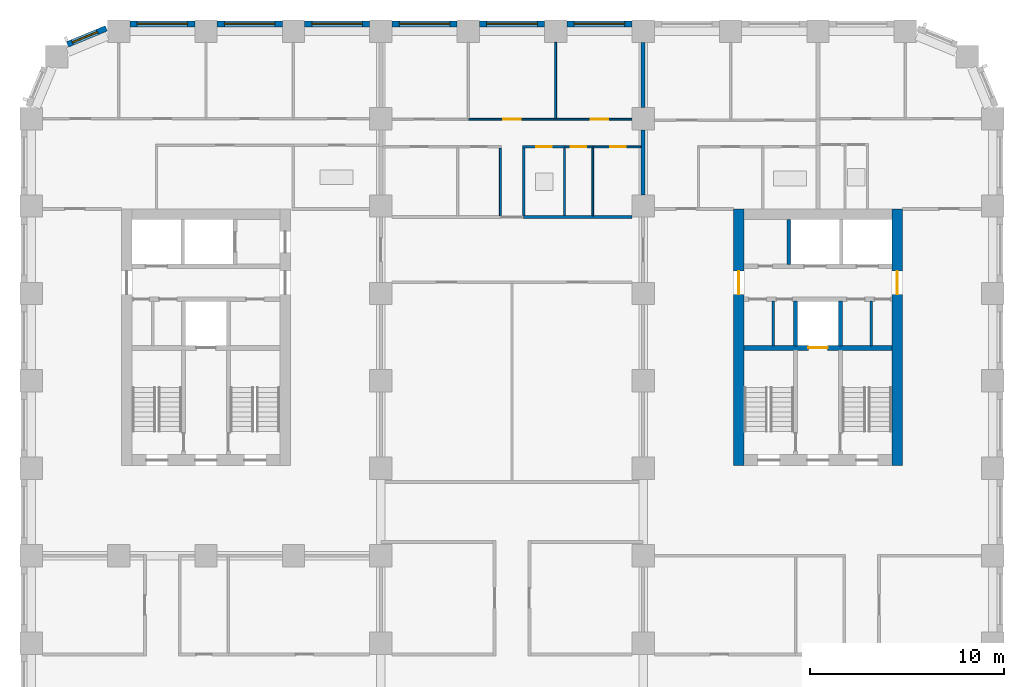
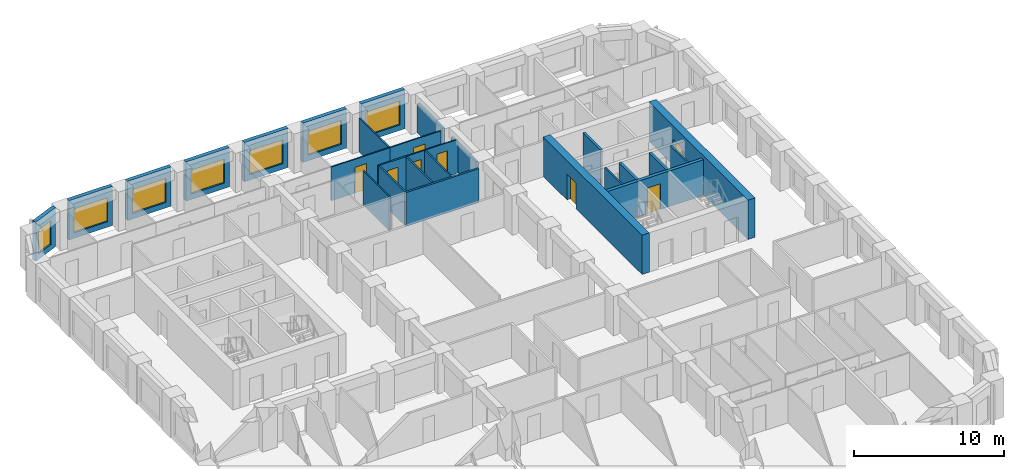
# One storey, part 8 of 13: 28 walls, 8 doors, 7 windows, 15 openings.
"""IFC4 building model written with IfcOpenShell, lengths in metres."""

import ifcopenshell
import ifcopenshell.guid

model = None  # the IFC model being written
_history = None  # IfcOwnerHistory: only IFC2X3 demands one
_inside = {}  # id of a spatial element -> (the spatial element, [elements in it])
_under = {}  # id of a project, library or spatial element -> (it, [spatial elements below it])
_declared = {}  # id of a project -> (the project, [libraries it declares])
_typed = {}  # id of a type object -> (the type object, [elements of that type])
_made_of = {}  # id of a material, layer set ... -> (it, [elements and type objects made of it])


def new_model(schema):
    """Start an empty IFC model of exactly this schema.

    Asked for "IFC4X3", IfcOpenShell would pick the latest addendum, in which some entities
    have other attributes; the version numbers below select the first issue.
    IFC2X3 requires an IfcOwnerHistory on every rooted entity: one is made here for all.
    """
    global model, _history
    if schema == "IFC4X3":
        model = ifcopenshell.file(schema_version=(4, 3, 0, 0))
    else:
        model = ifcopenshell.file(schema=schema)
    _inside.clear()
    _under.clear()
    _declared.clear()
    _typed.clear()
    _made_of.clear()
    _history = None
    if model.schema == "IFC2X3":
        org = make("IfcOrganization", Name="unknown")
        user = make(
            "IfcPersonAndOrganization",
            ThePerson=make("IfcPerson", FamilyName="unknown"),
            TheOrganization=org,
        )
        app = make(
            "IfcApplication",
            ApplicationDeveloper=org,
            Version="unknown",
            ApplicationFullName="unknown",
            ApplicationIdentifier="unknown",
        )
        _history = make(
            "IfcOwnerHistory",
            OwningUser=user,
            OwningApplication=app,
            ChangeAction="ADDED",
            CreationDate=0,
        )
    return model


def make(cls, **values):
    """One entity of the class cls with the attributes given. An attribute that is None is left unset."""
    return model.create_entity(
        cls, **{name: value for name, value in values.items() if value is not None}
    )


def rooted(cls, **values):
    """An entity with a GlobalId (a new one), such as an element, a storey or a relation."""
    return make(cls, GlobalId=ifcopenshell.guid.new(), OwnerHistory=_history, **values)


def si_unit(unit_type, name, prefix=None):
    """IfcSIUnit, for example si_unit("LENGTHUNIT", "METRE", prefix="MILLI")."""
    return make("IfcSIUnit", UnitType=unit_type, Prefix=prefix, Name=name)


def assignment(units):
    """IfcUnitAssignment: the units of a project."""
    return None if units is None else make("IfcUnitAssignment", Units=units)


def point(xyz):
    """IfcCartesianPoint."""
    return None if xyz is None else make("IfcCartesianPoint", Coordinates=xyz)


def direction(xyz):
    """IfcDirection."""
    return None if xyz is None else make("IfcDirection", DirectionRatios=xyz)


def frame(location, z_axis=None, x_axis=None):
    """IfcAxis2Placement3D, a coordinate frame: its origin and axes. An axis left out is left unset."""
    return make(
        "IfcAxis2Placement3D",
        Location=point(location),
        Axis=direction(z_axis),
        RefDirection=direction(x_axis),
    )


def frame_2d(location, x_axis=None):
    """IfcAxis2Placement2D, a coordinate frame in the plane: its origin and x axis."""
    return make(
        "IfcAxis2Placement2D", Location=point(location), RefDirection=direction(x_axis)
    )


def origin():
    """The frame at (0, 0, 0) with its axes left unset."""
    return frame((0.0, 0.0, 0.0))


def place(relative_to, where):
    """IfcLocalPlacement: puts the frame where relative to a parent placement (None: the world)."""
    return make(
        "IfcLocalPlacement", PlacementRelTo=relative_to, RelativePlacement=where
    )


def context(
    kind, dimensions, precision=None, world=None, true_north=None, identifier=None
):
    """IfcGeometricRepresentationContext, for example the 3D "Model" context."""
    return make(
        "IfcGeometricRepresentationContext",
        ContextIdentifier=identifier,
        ContextType=kind,
        CoordinateSpaceDimension=dimensions,
        Precision=precision,
        WorldCoordinateSystem=world,
        TrueNorth=true_north,
    )


def subcontext(parent, identifier, kind, view, scale=None):
    """IfcGeometricRepresentationSubContext, for example "Body" below "Model"."""
    return make(
        "IfcGeometricRepresentationSubContext",
        ContextIdentifier=identifier,
        ContextType=kind,
        ParentContext=parent,
        TargetScale=scale,
        TargetView=view,
    )


def project(units=None, contexts=None):
    """IfcProject with its units and contexts."""
    return rooted(
        "IfcProject",
        Name="project",
        RepresentationContexts=contexts,
        UnitsInContext=assignment(units),
    )


def spatial(cls, under=None, at=None, **own):
    """A site, building, storey or space (cls), placed at a placement, below another one or the project."""
    s = rooted(cls, ObjectPlacement=at, **own)
    if under is not None:
        _under.setdefault(under.id(), (under, []))[1].append(s)
    return s


def profile(cls, at=None, kind="AREA", **sizes):
    """A parametric profile (cls). Its sizes go by their IFC names, for example OverallWidth=200.0."""
    return make(cls, ProfileType=kind, Position=at, **sizes)


def rectangle(**sizes):
    """IfcRectangleProfileDef."""
    return profile("IfcRectangleProfileDef", **sizes)


def extrude(swept, where, along, depth):
    """IfcExtrudedAreaSolid: the profile swept, set in the frame where, extruded along a direction by depth."""
    return make(
        "IfcExtrudedAreaSolid",
        SweptArea=swept,
        Position=where,
        ExtrudedDirection=direction(along),
        Depth=depth,
    )


def shape(context_of_items, identifier, shape_type, items):
    """IfcShapeRepresentation: the items that make up one representation, for example the "Body"."""
    return make(
        "IfcShapeRepresentation",
        ContextOfItems=context_of_items,
        RepresentationIdentifier=identifier,
        RepresentationType=shape_type,
        Items=items,
    )


def material(Name=None, Category=None):
    """IfcMaterial."""
    return make("IfcMaterial", Name=Name, Category=Category)


def layer(
    of_material, thickness, ventilated=None, Name=None, Category=None, Priority=None
):
    """IfcMaterialLayer: one layer of a wall or slab, of a material (None: an air gap)."""
    return make(
        "IfcMaterialLayer",
        Material=of_material,
        LayerThickness=thickness,
        IsVentilated=ventilated,
        Name=Name,
        Category=Category,
        Priority=Priority,
    )


def layer_set(layers, Name=None):
    """IfcMaterialLayerSet."""
    return make("IfcMaterialLayerSet", MaterialLayers=layers, LayerSetName=Name)


def made_of(thing, what):
    """Note that an element or type object is made of a material, layer set ...; save() writes the relation."""
    if what is not None:
        _made_of.setdefault(what.id(), (what, []))[1].append(thing)
    return thing


def type_object(cls, material=None, **own):
    """A type object (cls), such as IfcWallType, which elements share."""
    return made_of(rooted(cls, **own), material)


def element(
    cls,
    number,
    at=None,
    inside=None,
    cuts=None,
    type_object=None,
    material=None,
    context=None,
    identifier="Body",
    shape_type=None,
    held_by="IfcProductDefinitionShape",
    body=None,
    shapes=None,
    **own,
):
    """One element of the class cls, such as IfcWall. Its Tag is "e" and its number.

    at: its placement. inside: the storey or other place that contains it. cuts: it is an
    opening in that element (IfcRelVoidsElement). A single representation is given by context,
    identifier, shape_type and body (its items); several are given by shapes. held_by: the class
    of the entity that holds the representations. save() writes the other relations.
    """
    e = rooted(cls, Tag="e%d" % number, ObjectPlacement=at, **own)
    if body is not None:
        shapes = [shape(context, identifier, shape_type, body)]
    if shapes is not None:
        e.Representation = make(held_by, Representations=shapes)
    if inside is not None:
        _inside.setdefault(inside.id(), (inside, []))[1].append(e)
    if cuts is not None:
        rooted(
            "IfcRelVoidsElement", RelatingBuildingElement=cuts, RelatedOpeningElement=e
        )
    if type_object is not None:
        _typed.setdefault(type_object.id(), (type_object, []))[1].append(e)
    return made_of(e, material)


def fill(opening, filler):
    """IfcRelFillsElement: the door or window that sits in an opening."""
    return rooted(
        "IfcRelFillsElement",
        RelatingOpeningElement=opening,
        RelatedBuildingElement=filler,
    )


def aggregate(whole, parts):
    """IfcRelAggregates: a whole, such as a stair, and the parts it consists of."""
    return rooted("IfcRelAggregates", RelatingObject=whole, RelatedObjects=parts)


def save(model, path):
    """Write the relations noted so far, then the file.

    IfcRelAggregates (storeys below a building ...), IfcRelContainedInSpatialStructure (elements
    in a storey), IfcRelDefinesByType, IfcRelAssociatesMaterial and IfcRelDeclares: one each for
    every whole, place, type object, material and project.
    """
    for whole, parts in _under.values():
        aggregate(whole, parts)
    for where, things in _inside.values():
        rooted(
            "IfcRelContainedInSpatialStructure",
            RelatedElements=things,
            RelatingStructure=where,
        )
    for kind, things in _typed.values():
        rooted("IfcRelDefinesByType", RelatedObjects=things, RelatingType=kind)
    for what, things in _made_of.values():
        rooted("IfcRelAssociatesMaterial", RelatedObjects=things, RelatingMaterial=what)
    for by, libraries in _declared.values():
        rooted("IfcRelDeclares", RelatingContext=by, RelatedDefinitions=libraries)
    model.write(path)


model = new_model("IFC4")

# Units and contexts
model_context = context("Model", 3, precision=1e-05, world=origin(), true_north=direction((0.0, 1.0)))
body_context = subcontext(model_context, "Body", "Model", "MODEL_VIEW")
ifc_project = project(units=[si_unit("LENGTHUNIT", "METRE"), si_unit("AREAUNIT", "SQUARE_METRE"), si_unit("VOLUMEUNIT", "CUBIC_METRE"), si_unit("PLANEANGLEUNIT", "RADIAN"), si_unit("MASSUNIT", "GRAM", prefix="KILO")], contexts=[model_context])

# Site, building, storey
site_placement = place(None, origin())
site = spatial("IfcSite", under=ifc_project, at=site_placement, CompositionType="ELEMENT")
building_placement = place(site_placement, origin())
building = spatial("IfcBuilding", under=site, at=building_placement, Name="Girih Gate Residences", CompositionType="ELEMENT")
storey_placement = place(building_placement, frame((0.0, 0.0, 83.199951171875)))
storey = spatial("IfcBuildingStorey", under=building, at=storey_placement, Name="L22", CompositionType="ELEMENT", Elevation=83.199951171875)

# Wall
ifc_material_1 = material(Name="Gypsum board on steel studs", Category="steel")
ifc_layer_1 = layer(ifc_material_1, 0.14990234375)
ifc_layer_set_1 = layer_set([ifc_layer_1], Name="Compartment wall 150 mm")
wall_type_1 = type_object("IfcWallType", Name="Compartment wall 150 mm", PredefinedType="PARTITIONING", material=ifc_layer_set_1)
wall_1_placement = place(storey_placement, frame((25.35009765625, 39.925048828125, 0.0), z_axis=(0.0, 0.0, 1.0), x_axis=(1.0, 0.0, 0.0)))
element("IfcWall", 1, at=wall_1_placement, inside=storey, type_object=wall_type_1, Name="L22 partition", PredefinedType="PARTITIONING", context=body_context, shape_type="SweptSolid", body=[
    extrude(rectangle(XDim=5.574951171875, YDim=0.14990234375, at=frame_2d((2.78759765625, 0.0))), origin(), (0.0, 0.0, 1.0), 2.75),
])

# Wall, opening, door
ifc_material_2 = material(Name="Concrete C60/75", Category="concrete")
ifc_layer_2 = layer(ifc_material_2, 0.550048828125)
ifc_layer_set_2 = layer_set([ifc_layer_2], Name="Core wall RC 550 Concrete C60/75")
wall_type_2 = type_object("IfcWallType", Name="Core wall RC 550 Concrete C60/75", PredefinedType="SOLIDWALL", material=ifc_layer_set_2)
wall_2_placement = place(storey_placement, frame((36.425048828125, 27.14990234375, 0.0), z_axis=(0.0, 0.0, 1.0), x_axis=(0.0, 1.0, 0.0)))
wall_2 = element("IfcWall", 2, at=wall_2_placement, inside=storey, type_object=wall_type_2, Name="Core wall E-W L22", PredefinedType="SOLIDWALL", context=body_context, shape_type="SweptSolid", body=[
    extrude(rectangle(XDim=13.2001953125, YDim=0.550048828125, at=frame_2d((6.60009765625, 0.0))), origin(), (0.0, 0.0, 1.0), 3.199951171875),
])
opening_1_placement = place(wall_2_placement, frame((8.800048828125, 0.0, 0.0)))
opening_1 = element("IfcOpeningElement", 3, at=opening_1_placement, cuts=wall_2, Name="Opening D-L22-E-014", PredefinedType="OPENING", context=body_context, shape_type="SweptSolid", body=[
    extrude(rectangle(XDim=1.199951171875, YDim=2.10009765625, at=frame_2d((0.60009765625, 1.050048828125))), frame((0.0, 0.284912109375, 0.0), z_axis=(0.0, -1.0, 0.0), x_axis=(1.0, 0.0, 0.0)), (0.0, 0.0, 1.0), 0.570068359375),
])
ifc_material_3 = material(Name="Painted steel, fire-resisting", Category="steel")
door_type_1 = type_object("IfcDoorType", Name="Fire door 1200x2100", OperationType="SINGLE_SWING_LEFT", PredefinedType="DOOR", material=ifc_material_3)
door_1_placement = place(opening_1_placement, origin())
door_1 = element("IfcDoor", 4, at=door_1_placement, inside=storey, type_object=door_type_1, Name="L22 E core door ll-w", OperationType="SINGLE_SWING_LEFT", OverallHeight=2.10009765625, OverallWidth=1.199951171875, PredefinedType="DOOR", context=body_context, shape_type="SweptSolid", body=[
    extrude(rectangle(XDim=1.199951171875, YDim=2.10009765625, at=frame_2d((0.60009765625, 1.050048828125))), frame((0.0, 0.02490234375, 0.0), z_axis=(0.0, -1.0, 0.0), x_axis=(1.0, 0.0, 0.0)), (0.0, 0.0, 1.0), 0.050048828125),
])
fill(opening_1, door_1)

wall_3_placement = place(storey_placement, frame((44.574951171875, 27.14990234375, 0.0), z_axis=(0.0, 0.0, 1.0), x_axis=(0.0, 1.0, 0.0)))
wall_3 = element("IfcWall", 5, at=wall_3_placement, inside=storey, type_object=wall_type_2, Name="Core wall E-E L22", PredefinedType="SOLIDWALL", context=body_context, shape_type="SweptSolid", body=[
    extrude(rectangle(XDim=13.2001953125, YDim=0.550048828125, at=frame_2d((6.60009765625, 0.0))), origin(), (0.0, 0.0, 1.0), 3.199951171875),
])
opening_2_placement = place(wall_3_placement, frame((8.800048828125, 0.0, 0.0)))
opening_2 = element("IfcOpeningElement", 6, at=opening_2_placement, cuts=wall_3, Name="Opening D-L22-E-015", PredefinedType="OPENING", context=body_context, shape_type="SweptSolid", body=[
    extrude(rectangle(XDim=1.199951171875, YDim=2.10009765625, at=frame_2d((0.60009765625, 1.050048828125))), frame((0.0, 0.284912109375, 0.0), z_axis=(0.0, -1.0, 0.0), x_axis=(1.0, 0.0, 0.0)), (0.0, 0.0, 1.0), 0.570068359375),
])
door_2_placement = place(opening_2_placement, origin())
door_2 = element("IfcDoor", 7, at=door_2_placement, inside=storey, type_object=door_type_1, Name="L22 E core door ll-e", OperationType="SINGLE_SWING_LEFT", OverallHeight=2.10009765625, OverallWidth=1.199951171875, PredefinedType="DOOR", context=body_context, shape_type="SweptSolid", body=[
    extrude(rectangle(XDim=1.199951171875, YDim=2.10009765625, at=frame_2d((0.60009765625, 1.050048828125))), frame((0.0, 0.02490234375, 0.0), z_axis=(0.0, -1.0, 0.0), x_axis=(1.0, 0.0, 0.0)), (0.0, 0.0, 1.0), 0.050048828125),
])
fill(opening_2, door_2)

ifc_material_4 = material(Name="Concrete C40/50", Category="concrete")
ifc_layer_3 = layer(ifc_material_4, 0.25)
ifc_layer_set_3 = layer_set([ifc_layer_3], Name="Lift shaft wall 250")
wall_type_3 = type_object("IfcWallType", Name="Lift shaft wall 250", PredefinedType="SOLIDWALL", material=ifc_layer_set_3)
wall_4_placement = place(storey_placement, frame((36.699951171875, 33.199951171875, 0.0), z_axis=(0.0, 0.0, 1.0), x_axis=(1.0, 0.0, 0.0)))
wall_4 = element("IfcWall", 8, at=wall_4_placement, inside=storey, type_object=wall_type_3, Name="L22 E core wall H1", PredefinedType="SOLIDWALL", context=body_context, shape_type="SweptSolid", body=[
    extrude(rectangle(XDim=7.60009765625, YDim=0.25, at=frame_2d((3.800048828125, 0.0))), origin(), (0.0, 0.0, 1.0), 2.900146484375),
])
opening_3_placement = place(wall_4_placement, frame((3.300048828125, 0.0, 0.0)))
opening_3 = element("IfcOpeningElement", 9, at=opening_3_placement, cuts=wall_4, Name="Opening D-L22-E-005", PredefinedType="OPENING", context=body_context, shape_type="SweptSolid", body=[
    extrude(rectangle(XDim=1.0, YDim=2.10009765625, at=frame_2d((0.5, 1.050048828125))), frame((0.0, 0.135009765625, 0.0), z_axis=(0.0, -1.0, 0.0), x_axis=(1.0, 0.0, 0.0)), (0.0, 0.0, 1.0), 0.27001953125),
])
ifc_material_5 = material(Name="Stainless steel, fire-resisting", Category="steel")
door_type_2 = type_object("IfcDoorType", Name="Firefighting lift landing door 1000x2100", OperationType="SLIDING_TO_LEFT", PredefinedType="DOOR", material=ifc_material_5)
door_3_placement = place(opening_3_placement, origin())
door_3 = element("IfcDoor", 10, at=door_3_placement, inside=storey, type_object=door_type_2, Name="L22 lift FF-E landing door", OperationType="SLIDING_TO_LEFT", OverallHeight=2.10009765625, OverallWidth=1.0, PredefinedType="DOOR", context=body_context, shape_type="SweptSolid", body=[
    extrude(rectangle(XDim=1.0, YDim=2.10009765625, at=frame_2d((0.5, 1.050048828125))), frame((0.0, 0.02490234375, 0.0), z_axis=(0.0, -1.0, 0.0), x_axis=(1.0, 0.0, 0.0)), (0.0, 0.0, 1.0), 0.050048828125),
])
fill(opening_3, door_3)

# Wall
ifc_layer_4 = layer(ifc_material_1, 0.10009765625)
ifc_layer_set_4 = layer_set([ifc_layer_4], Name="Partition 100 mm")
wall_type_4 = type_object("IfcWallType", Name="Partition 100 mm", PredefinedType="PARTITIONING", material=ifc_layer_set_4)
wall_5_placement = place(storey_placement, frame((27.0, 45.014892578125, 0.0), z_axis=(0.0, 0.0, 1.0), x_axis=(0.0, 1.0, 0.0)))
element("IfcWall", 11, at=wall_5_placement, inside=storey, type_object=wall_type_4, Name="L22 partition", PredefinedType="PARTITIONING", context=body_context, shape_type="SweptSolid", body=[
    extrude(rectangle(XDim=3.91015625, YDim=0.10009765625, at=frame_2d((1.955078125, 0.0))), origin(), (0.0, 0.0, 1.0), 2.75),
])

# Wall, opening, door
wall_6_placement = place(storey_placement, frame((22.5, 44.965087890625, 0.0), z_axis=(0.0, 0.0, 1.0), x_axis=(1.0, 0.0, 0.0)))
wall_6 = element("IfcWall", 12, at=wall_6_placement, inside=storey, type_object=wall_type_4, Name="L22 partition", PredefinedType="PARTITIONING", context=body_context, shape_type="SweptSolid", body=[
    extrude(rectangle(XDim=4.5, YDim=0.10009765625, at=frame_2d((2.25, 0.0))), origin(), (0.0, 0.0, 1.0), 2.75),
])
opening_4_placement = place(wall_6_placement, frame((1.800048828125, 0.0, 0.0)))
opening_4 = element("IfcOpeningElement", 13, at=opening_4_placement, cuts=wall_6, Name="Opening A22-041", PredefinedType="OPENING", context=body_context, shape_type="SweptSolid", body=[
    extrude(rectangle(XDim=0.89990234375, YDim=2.10009765625, at=frame_2d((0.449951171875, 1.050048828125))), frame((0.0, 0.06005859375, 0.0), z_axis=(0.0, -1.0, 0.0), x_axis=(1.0, 0.0, 0.0)), (0.0, 0.0, 1.0), 0.1201171875),
])
ifc_material_6 = material(Name="Timber", Category="wood")
door_type_3 = type_object("IfcDoorType", Name="Bedroom door 900x2100", OperationType="NOTDEFINED", PredefinedType="DOOR", material=ifc_material_6)
door_4_placement = place(opening_4_placement, origin())
door_4 = element("IfcDoor", 14, at=door_4_placement, inside=storey, type_object=door_type_3, Name="Door A22-041", OperationType="SINGLE_SWING_LEFT", OverallHeight=2.10009765625, OverallWidth=0.89990234375, PredefinedType="DOOR", context=body_context, shape_type="SweptSolid", body=[
    extrude(rectangle(XDim=0.89990234375, YDim=2.10009765625, at=frame_2d((0.449951171875, 1.050048828125))), frame((0.0, 0.02490234375, 0.0), z_axis=(0.0, -1.0, 0.0), x_axis=(1.0, 0.0, 0.0)), (0.0, 0.0, 1.0), 0.050048828125),
])
fill(opening_4, door_4)

wall_7_placement = place(storey_placement, frame((27.0, 44.965087890625, 0.0), z_axis=(0.0, 0.0, 1.0), x_axis=(1.0, 0.0, 0.0)))
wall_7 = element("IfcWall", 15, at=wall_7_placement, inside=storey, type_object=wall_type_4, Name="L22 partition", PredefinedType="PARTITIONING", context=body_context, shape_type="SweptSolid", body=[
    extrude(rectangle(XDim=3.925048828125, YDim=0.10009765625, at=frame_2d((1.96240234375, 0.0))), origin(), (0.0, 0.0, 1.0), 2.75),
])
opening_5_placement = place(wall_7_placement, frame((1.800048828125, 0.0, 0.0)))
opening_5 = element("IfcOpeningElement", 16, at=opening_5_placement, cuts=wall_7, Name="Opening A22-042", PredefinedType="OPENING", context=body_context, shape_type="SweptSolid", body=[
    extrude(rectangle(XDim=0.89990234375, YDim=2.10009765625, at=frame_2d((0.449951171875, 1.050048828125))), frame((0.0, 0.06005859375, 0.0), z_axis=(0.0, -1.0, 0.0), x_axis=(1.0, 0.0, 0.0)), (0.0, 0.0, 1.0), 0.1201171875),
])
door_5_placement = place(opening_5_placement, origin())
door_5 = element("IfcDoor", 17, at=door_5_placement, inside=storey, type_object=door_type_3, Name="Door A22-042", OperationType="SINGLE_SWING_RIGHT", OverallHeight=2.10009765625, OverallWidth=0.89990234375, PredefinedType="DOOR", context=body_context, shape_type="SweptSolid", body=[
    extrude(rectangle(XDim=0.89990234375, YDim=2.10009765625, at=frame_2d((0.449951171875, 1.050048828125))), frame((0.0, 0.02490234375, 0.0), z_axis=(0.0, -1.0, 0.0), x_axis=(1.0, 0.0, 0.0)), (0.0, 0.0, 1.0), 0.050048828125),
])
fill(opening_5, door_5)

wall_8_placement = place(storey_placement, frame((31.39990234375, 43.544921875, 0.0), z_axis=(0.0, 0.0, 1.0), x_axis=(-1.0, 0.0, 0.0)))
wall_8 = element("IfcWall", 18, at=wall_8_placement, inside=storey, type_object=wall_type_4, Name="L22 partition", PredefinedType="PARTITIONING", context=body_context, shape_type="SweptSolid", body=[
    extrude(rectangle(XDim=2.494140625, YDim=0.10009765625, at=frame_2d((1.2470703125, 0.0))), origin(), (0.0, 0.0, 1.0), 2.75),
])
opening_6_placement = place(wall_8_placement, frame((0.797119140625, 0.0, 0.0)))
opening_6 = element("IfcOpeningElement", 19, at=opening_6_placement, cuts=wall_8, Name="Opening A22-043", PredefinedType="OPENING", context=body_context, shape_type="SweptSolid", body=[
    extrude(rectangle(XDim=0.800048828125, YDim=2.10009765625, at=frame_2d((0.39990234375, 1.050048828125))), frame((0.0, 0.06005859375, 0.0), z_axis=(0.0, -1.0, 0.0), x_axis=(1.0, 0.0, 0.0)), (0.0, 0.0, 1.0), 0.1201171875),
])
door_type_4 = type_object("IfcDoorType", Name="Store door 800x2100", OperationType="NOTDEFINED", PredefinedType="DOOR", material=ifc_material_6)
door_6_placement = place(opening_6_placement, origin())
door_6 = element("IfcDoor", 20, at=door_6_placement, inside=storey, type_object=door_type_4, Name="Door A22-043", OperationType="SINGLE_SWING_LEFT", OverallHeight=2.10009765625, OverallWidth=0.800048828125, PredefinedType="DOOR", context=body_context, shape_type="SweptSolid", body=[
    extrude(rectangle(XDim=0.800048828125, YDim=2.10009765625, at=frame_2d((0.39990234375, 1.050048828125))), frame((0.0, 0.02490234375, 0.0), z_axis=(0.0, -1.0, 0.0), x_axis=(1.0, 0.0, 0.0)), (0.0, 0.0, 1.0), 0.050048828125),
])
fill(opening_6, door_6)

# Wall
wall_9_placement = place(storey_placement, frame((28.906005859375, 40.0, 0.0), z_axis=(0.0, 0.0, 1.0), x_axis=(0.0, 1.0, 0.0)))
element("IfcWall", 21, at=wall_9_placement, inside=storey, type_object=wall_type_4, Name="L22 partition", PredefinedType="PARTITIONING", context=body_context, shape_type="SweptSolid", body=[
    extrude(rectangle(XDim=3.4951171875, YDim=0.10009765625, at=frame_2d((1.74755859375, 0.0))), origin(), (0.0, 0.0, 1.0), 2.75),
])

# Wall, opening, door
wall_10_placement = place(storey_placement, frame((28.90576171875, 43.544921875, 0.0), z_axis=(0.0, 0.0, 1.0), x_axis=(-1.0, 0.0, 0.0)))
wall_10 = element("IfcWall", 22, at=wall_10_placement, inside=storey, type_object=wall_type_4, Name="L22 partition", PredefinedType="PARTITIONING", context=body_context, shape_type="SweptSolid", body=[
    extrude(rectangle(XDim=1.451904296875, YDim=0.10009765625, at=frame_2d((0.72607421875, 0.0))), origin(), (0.0, 0.0, 1.0), 2.75),
])
opening_7_placement = place(wall_10_placement, frame((0.325927734375, 0.0, 0.0)))
opening_7 = element("IfcOpeningElement", 23, at=opening_7_placement, cuts=wall_10, Name="Opening A22-046", PredefinedType="OPENING", context=body_context, shape_type="SweptSolid", body=[
    extrude(rectangle(XDim=0.800048828125, YDim=2.10009765625, at=frame_2d((0.39990234375, 1.050048828125))), frame((0.0, 0.06005859375, 0.0), z_axis=(0.0, -1.0, 0.0), x_axis=(1.0, 0.0, 0.0)), (0.0, 0.0, 1.0), 0.1201171875),
])
door_7_placement = place(opening_7_placement, origin())
door_7 = element("IfcDoor", 24, at=door_7_placement, inside=storey, type_object=door_type_4, Name="Door A22-046", OperationType="SINGLE_SWING_RIGHT", OverallHeight=2.10009765625, OverallWidth=0.800048828125, PredefinedType="DOOR", context=body_context, shape_type="SweptSolid", body=[
    extrude(rectangle(XDim=0.800048828125, YDim=2.10009765625, at=frame_2d((0.39990234375, 1.050048828125))), frame((0.0, 0.02490234375, 0.0), z_axis=(0.0, -1.0, 0.0), x_axis=(1.0, 0.0, 0.0)), (0.0, 0.0, 1.0), 0.050048828125),
])
fill(opening_7, door_7)

# Walls
wall_11_placement = place(storey_placement, frame((24.14990234375, 40.0, 0.0), z_axis=(0.0, 0.0, 1.0), x_axis=(0.0, 1.0, 0.0)))
element("IfcWall", 25, at=wall_11_placement, inside=storey, type_object=wall_type_4, Name="L22 partition", PredefinedType="PARTITIONING", context=body_context, shape_type="SweptSolid", body=[
    extrude(rectangle(XDim=3.4951171875, YDim=0.10009765625, at=frame_2d((1.74755859375, 0.0))), origin(), (0.0, 0.0, 1.0), 2.75),
])
ifc_layer_5 = layer(ifc_material_1, 0.199951171875)
ifc_layer_set_5 = layer_set([ifc_layer_5], Name="Party wall 200 mm")
wall_type_5 = type_object("IfcWallType", Name="Party wall 200 mm", PredefinedType="PARTITIONING", material=ifc_layer_set_5)
for number, where, z_axis, x_axis, name in (
    (26, (31.5, 41.074951171875, 0.0), (0.0, 0.0, 1.0), (0.0, 1.0, 0.0), "L22 partition"),
    (27, (31.5, 45.574951171875, 0.0), (0.0, 0.0, 1.0), (0.0, 1.0, 0.0), "L22 partition"),
):
    element("IfcWall", number, at=place(storey_placement, frame(where, z_axis=z_axis, x_axis=x_axis)), inside=storey, type_object=wall_type_5, Name=name, PredefinedType="PARTITIONING", context=body_context, shape_type="SweptSolid", body=[
        extrude(rectangle(XDim=3.35009765625, YDim=0.199951171875, at=frame_2d((1.675048828125, 0.0))), origin(), (0.0, 0.0, 1.0), 2.380126953125),
    ])

# Wall, opening, window
ifc_material_7 = material(Name="Precast concrete C50/60", Category="concrete")
ifc_layer_6 = layer(ifc_material_7, 0.080078125, Name="Outer leaf")
ifc_material_8 = material(Name="Rigid PIR insulation")
ifc_layer_7 = layer(ifc_material_8, 0.14990234375, Name="Insulation")
ifc_material_9 = material(Name="Precast concrete C40/50", Category="concrete")
ifc_layer_8 = layer(ifc_material_9, 0.070068359375, Name="Inner leaf")
ifc_layer_set_6 = layer_set([ifc_layer_6, ifc_layer_7, ifc_layer_8], Name="Precast concrete C50/60 external wall 300")
wall_type_6 = type_object("IfcWallType", Name="Precast concrete C50/60 external wall 300", PredefinedType="SOLIDWALL", material=ifc_layer_set_6)
wall_12_placement = place(storey_placement, frame((27.574951171875, 49.875, 0.0), z_axis=(0.0, 0.0, 1.0), x_axis=(1.0, 0.0, 0.0)))
wall_12 = element("IfcWall", 28, at=wall_12_placement, inside=storey, type_object=wall_type_6, Name="External wall N0450_0495.3", PredefinedType="SOLIDWALL", context=body_context, shape_type="SweptSolid", body=[
    extrude(rectangle(XDim=3.35009765625, YDim=0.300048828125, at=frame_2d((1.675048828125, 0.0))), origin(), (0.0, 0.0, 1.0), 3.199951171875),
])
opening_8_placement = place(wall_12_placement, frame((0.375, 0.0, 0.449951171875)))
opening_8 = element("IfcOpeningElement", 29, at=opening_8_placement, cuts=wall_12, Name="Opening W-1A", PredefinedType="OPENING", context=body_context, shape_type="SweptSolid", body=[
    extrude(rectangle(XDim=2.60009765625, YDim=1.949951171875, at=frame_2d((1.300048828125, 0.97509765625))), frame((0.0, 0.159912109375, 0.0), z_axis=(0.0, -1.0, 0.0), x_axis=(1.0, 0.0, 0.0)), (0.0, 0.0, 1.0), 0.320068359375),
])
ifc_material_10 = material(Name="Double glazing in aluminium frame", Category="aluminium")
window_type_1 = type_object("IfcWindowType", Name="Window W-1A 2600x1950", PartitioningType="SINGLE_PANEL", PredefinedType="WINDOW", material=ifc_material_10)
window_1_placement = place(opening_8_placement, origin())
window_1 = element("IfcWindow", 30, at=window_1_placement, inside=storey, type_object=window_type_1, Name="Window W-1A N0450_0495.3", OverallHeight=1.949951171875, OverallWidth=2.60009765625, PartitioningType="SINGLE_PANEL", PredefinedType="WINDOW", context=body_context, shape_type="SweptSolid", body=[
    extrude(rectangle(XDim=2.60009765625, YDim=1.949951171875, at=frame_2d((1.300048828125, 0.97509765625))), frame((0.0, 0.030029296875, 0.0), z_axis=(0.0, -1.0, 0.0), x_axis=(1.0, 0.0, 0.0)), (0.0, 0.0, 1.0), 0.06005859375),
])
fill(opening_8, window_1)

wall_13_placement = place(storey_placement, frame((23.074951171875, 49.875, 0.0), z_axis=(0.0, 0.0, 1.0), x_axis=(1.0, 0.0, 0.0)))
wall_13 = element("IfcWall", 31, at=wall_13_placement, inside=storey, type_object=wall_type_6, Name="External wall N0450_0495.4", PredefinedType="SOLIDWALL", context=body_context, shape_type="SweptSolid", body=[
    extrude(rectangle(XDim=3.35009765625, YDim=0.300048828125, at=frame_2d((1.675048828125, 0.0))), origin(), (0.0, 0.0, 1.0), 3.199951171875),
])
opening_9_placement = place(wall_13_placement, frame((0.375, 0.0, 0.449951171875)))
opening_9 = element("IfcOpeningElement", 32, at=opening_9_placement, cuts=wall_13, Name="Opening W-1A", PredefinedType="OPENING", context=body_context, shape_type="SweptSolid", body=[
    extrude(rectangle(XDim=2.60009765625, YDim=1.949951171875, at=frame_2d((1.300048828125, 0.97509765625))), frame((0.0, 0.159912109375, 0.0), z_axis=(0.0, -1.0, 0.0), x_axis=(1.0, 0.0, 0.0)), (0.0, 0.0, 1.0), 0.320068359375),
])
window_2_placement = place(opening_9_placement, origin())
window_2 = element("IfcWindow", 33, at=window_2_placement, inside=storey, type_object=window_type_1, Name="Window W-1A N0450_0495.4", OverallHeight=1.949951171875, OverallWidth=2.60009765625, PartitioningType="SINGLE_PANEL", PredefinedType="WINDOW", context=body_context, shape_type="SweptSolid", body=[
    extrude(rectangle(XDim=2.60009765625, YDim=1.949951171875, at=frame_2d((1.300048828125, 0.97509765625))), frame((0.0, 0.030029296875, 0.0), z_axis=(0.0, -1.0, 0.0), x_axis=(1.0, 0.0, 0.0)), (0.0, 0.0, 1.0), 0.06005859375),
])
fill(opening_9, window_2)

wall_14_placement = place(storey_placement, frame((18.574951171875, 49.875, 0.0), z_axis=(0.0, 0.0, 1.0), x_axis=(1.0, 0.0, 0.0)))
wall_14 = element("IfcWall", 34, at=wall_14_placement, inside=storey, type_object=wall_type_6, Name="External wall N0450_0495.5", PredefinedType="SOLIDWALL", context=body_context, shape_type="SweptSolid", body=[
    extrude(rectangle(XDim=3.35009765625, YDim=0.300048828125, at=frame_2d((1.675048828125, 0.0))), origin(), (0.0, 0.0, 1.0), 3.199951171875),
])
opening_10_placement = place(wall_14_placement, frame((0.375, 0.0, 0.449951171875)))
opening_10 = element("IfcOpeningElement", 35, at=opening_10_placement, cuts=wall_14, Name="Opening W-1A", PredefinedType="OPENING", context=body_context, shape_type="SweptSolid", body=[
    extrude(rectangle(XDim=2.60009765625, YDim=1.949951171875, at=frame_2d((1.300048828125, 0.97509765625))), frame((0.0, 0.159912109375, 0.0), z_axis=(0.0, -1.0, 0.0), x_axis=(1.0, 0.0, 0.0)), (0.0, 0.0, 1.0), 0.320068359375),
])
window_3_placement = place(opening_10_placement, origin())
window_3 = element("IfcWindow", 36, at=window_3_placement, inside=storey, type_object=window_type_1, Name="Window W-1A N0450_0495.5", OverallHeight=1.949951171875, OverallWidth=2.60009765625, PartitioningType="SINGLE_PANEL", PredefinedType="WINDOW", context=body_context, shape_type="SweptSolid", body=[
    extrude(rectangle(XDim=2.60009765625, YDim=1.949951171875, at=frame_2d((1.300048828125, 0.97509765625))), frame((0.0, 0.030029296875, 0.0), z_axis=(0.0, -1.0, 0.0), x_axis=(1.0, 0.0, 0.0)), (0.0, 0.0, 1.0), 0.06005859375),
])
fill(opening_10, window_3)

wall_15_placement = place(storey_placement, frame((14.074951171875, 49.875, 0.0), z_axis=(0.0, 0.0, 1.0), x_axis=(1.0, 0.0, 0.0)))
wall_15 = element("IfcWall", 37, at=wall_15_placement, inside=storey, type_object=wall_type_6, Name="External wall N0450_0495.6", PredefinedType="SOLIDWALL", context=body_context, shape_type="SweptSolid", body=[
    extrude(rectangle(XDim=3.35009765625, YDim=0.300048828125, at=frame_2d((1.675048828125, 0.0))), origin(), (0.0, 0.0, 1.0), 3.199951171875),
])
opening_11_placement = place(wall_15_placement, frame((0.375, 0.0, 0.449951171875)))
opening_11 = element("IfcOpeningElement", 38, at=opening_11_placement, cuts=wall_15, Name="Opening W-1A", PredefinedType="OPENING", context=body_context, shape_type="SweptSolid", body=[
    extrude(rectangle(XDim=2.60009765625, YDim=1.949951171875, at=frame_2d((1.300048828125, 0.97509765625))), frame((0.0, 0.159912109375, 0.0), z_axis=(0.0, -1.0, 0.0), x_axis=(1.0, 0.0, 0.0)), (0.0, 0.0, 1.0), 0.320068359375),
])
window_4_placement = place(opening_11_placement, origin())
window_4 = element("IfcWindow", 39, at=window_4_placement, inside=storey, type_object=window_type_1, Name="Window W-1A N0450_0495.6", OverallHeight=1.949951171875, OverallWidth=2.60009765625, PartitioningType="SINGLE_PANEL", PredefinedType="WINDOW", context=body_context, shape_type="SweptSolid", body=[
    extrude(rectangle(XDim=2.60009765625, YDim=1.949951171875, at=frame_2d((1.300048828125, 0.97509765625))), frame((0.0, 0.030029296875, 0.0), z_axis=(0.0, -1.0, 0.0), x_axis=(1.0, 0.0, 0.0)), (0.0, 0.0, 1.0), 0.06005859375),
])
fill(opening_11, window_4)

wall_16_placement = place(storey_placement, frame((9.574951171875, 49.875, 0.0), z_axis=(0.0, 0.0, 1.0), x_axis=(1.0, 0.0, 0.0)))
wall_16 = element("IfcWall", 40, at=wall_16_placement, inside=storey, type_object=wall_type_6, Name="External wall N0450_0495.7", PredefinedType="SOLIDWALL", context=body_context, shape_type="SweptSolid", body=[
    extrude(rectangle(XDim=3.35009765625, YDim=0.300048828125, at=frame_2d((1.675048828125, 0.0))), origin(), (0.0, 0.0, 1.0), 3.199951171875),
])
opening_12_placement = place(wall_16_placement, frame((0.375, 0.0, 0.449951171875)))
opening_12 = element("IfcOpeningElement", 41, at=opening_12_placement, cuts=wall_16, Name="Opening W-1A", PredefinedType="OPENING", context=body_context, shape_type="SweptSolid", body=[
    extrude(rectangle(XDim=2.60009765625, YDim=1.949951171875, at=frame_2d((1.300048828125, 0.97509765625))), frame((0.0, 0.159912109375, 0.0), z_axis=(0.0, -1.0, 0.0), x_axis=(1.0, 0.0, 0.0)), (0.0, 0.0, 1.0), 0.320068359375),
])
window_5_placement = place(opening_12_placement, origin())
window_5 = element("IfcWindow", 42, at=window_5_placement, inside=storey, type_object=window_type_1, Name="Window W-1A N0450_0495.7", OverallHeight=1.949951171875, OverallWidth=2.60009765625, PartitioningType="SINGLE_PANEL", PredefinedType="WINDOW", context=body_context, shape_type="SweptSolid", body=[
    extrude(rectangle(XDim=2.60009765625, YDim=1.949951171875, at=frame_2d((1.300048828125, 0.97509765625))), frame((0.0, 0.030029296875, 0.0), z_axis=(0.0, -1.0, 0.0), x_axis=(1.0, 0.0, 0.0)), (0.0, 0.0, 1.0), 0.06005859375),
])
fill(opening_12, window_5)

wall_17_placement = place(storey_placement, frame((5.074951171875, 49.875, 0.0), z_axis=(0.0, 0.0, 1.0), x_axis=(1.0, 0.0, 0.0)))
wall_17 = element("IfcWall", 43, at=wall_17_placement, inside=storey, type_object=wall_type_6, Name="External wall N0450_0495.8", PredefinedType="SOLIDWALL", context=body_context, shape_type="SweptSolid", body=[
    extrude(rectangle(XDim=3.35009765625, YDim=0.300048828125, at=frame_2d((1.675048828125, 0.0))), origin(), (0.0, 0.0, 1.0), 3.199951171875),
])
opening_13_placement = place(wall_17_placement, frame((0.375, 0.0, 0.449951171875)))
opening_13 = element("IfcOpeningElement", 44, at=opening_13_placement, cuts=wall_17, Name="Opening W-1A", PredefinedType="OPENING", context=body_context, shape_type="SweptSolid", body=[
    extrude(rectangle(XDim=2.60009765625, YDim=1.949951171875, at=frame_2d((1.300048828125, 0.97509765625))), frame((0.0, 0.159912109375, 0.0), z_axis=(0.0, -1.0, 0.0), x_axis=(1.0, 0.0, 0.0)), (0.0, 0.0, 1.0), 0.320068359375),
])
window_6_placement = place(opening_13_placement, origin())
window_6 = element("IfcWindow", 45, at=window_6_placement, inside=storey, type_object=window_type_1, Name="Window W-1A N0450_0495.8", OverallHeight=1.949951171875, OverallWidth=2.60009765625, PartitioningType="SINGLE_PANEL", PredefinedType="WINDOW", context=body_context, shape_type="SweptSolid", body=[
    extrude(rectangle(XDim=2.60009765625, YDim=1.949951171875, at=frame_2d((1.300048828125, 0.97509765625))), frame((0.0, 0.030029296875, 0.0), z_axis=(0.0, -1.0, 0.0), x_axis=(1.0, 0.0, 0.0)), (0.0, 0.0, 1.0), 0.06005859375),
])
fill(opening_13, window_6)

wall_18_placement = place(storey_placement, frame((1.86865234375, 48.81591796875, 0.0), z_axis=(0.0, 0.0, 1.0), x_axis=(0.923862802911, 0.382723818695, 0.0)))
wall_18 = element("IfcWall", 46, at=wall_18_placement, inside=storey, type_object=wall_type_6, Name="External wall NW0045_0495.0", PredefinedType="SOLIDWALL", context=body_context, shape_type="SweptSolid", body=[
    extrude(rectangle(XDim=2.163818359375, YDim=0.300048828125, at=frame_2d((1.08203125, 0.0))), origin(), (0.0, 0.0, 1.0), 3.199951171875),
])
opening_14_placement = place(wall_18_placement, frame((0.270751953125, 0.0, 0.449951171875)))
opening_14 = element("IfcOpeningElement", 47, at=opening_14_placement, cuts=wall_18, Name="Opening W-2D", PredefinedType="OPENING", context=body_context, shape_type="SweptSolid", body=[
    extrude(rectangle(XDim=1.39990234375, YDim=1.949951171875, at=frame_2d((0.699951171875, 0.97509765625))), frame((0.0, 0.159912109375, 0.0), z_axis=(0.0, -1.0, 0.0), x_axis=(1.0, 0.0, 0.0)), (0.0, 0.0, 1.0), 0.320068359375),
])
window_type_2 = type_object("IfcWindowType", Name="Window W-2D 1400x1950", PartitioningType="SINGLE_PANEL", PredefinedType="WINDOW", material=ifc_material_10)
window_7_placement = place(opening_14_placement, origin())
window_7 = element("IfcWindow", 48, at=window_7_placement, inside=storey, type_object=window_type_2, Name="Window W-2D NW0045_0495.0", OverallHeight=1.949951171875, OverallWidth=1.39990234375, PartitioningType="SINGLE_PANEL", PredefinedType="WINDOW", context=body_context, shape_type="SweptSolid", body=[
    extrude(rectangle(XDim=1.39990234375, YDim=1.949951171875, at=frame_2d((0.699951171875, 0.97509765625))), frame((0.0, 0.030029296875, 0.0), z_axis=(0.0, -1.0, 0.0), x_axis=(1.0, 0.0, 0.0)), (0.0, 0.0, 1.0), 0.06005859375),
])
fill(opening_14, window_7)

# Walls
ifc_layer_9 = layer(ifc_material_4, 0.175048828125)
ifc_layer_set_7 = layer_set([ifc_layer_9], Name="Riser shaft wall 175")
wall_type_7 = type_object("IfcWallType", Name="Riser shaft wall 175", PredefinedType="SOLIDWALL", material=ifc_layer_set_7)
wall_19_placement = place(storey_placement, frame((39.0, 37.5, 0.0), z_axis=(0.0, 0.0, 1.0), x_axis=(0.0, 1.0, 0.0)))
element("IfcWall", 49, at=wall_19_placement, inside=storey, type_object=wall_type_7, Name="L22 E core wall V2c", PredefinedType="SOLIDWALL", context=body_context, shape_type="SweptSolid", body=[
    extrude(rectangle(XDim=2.300048828125, YDim=0.175048828125, at=frame_2d((1.14990234375, 0.0))), origin(), (0.0, 0.0, 1.0), 2.900146484375),
])
ifc_layer_10 = layer(ifc_material_4, 0.199951171875)
ifc_layer_set_8 = layer_set([ifc_layer_10], Name="Shaft wall 200")
wall_type_8 = type_object("IfcWallType", Name="Shaft wall 200", PredefinedType="SOLIDWALL", material=ifc_layer_set_8)
for number, where, z_axis, x_axis, name in (
    (50, (41.64990234375, 33.300048828125, 0.0), (0.0, 0.0, 1.0), (0.0, 1.0, 0.0), "L22 E core wall V1b"),
    (51, (39.35009765625, 33.300048828125, 0.0), (0.0, 0.0, 1.0), (0.0, 1.0, 0.0), "L22 E core wall V2b"),
):
    element("IfcWall", number, at=place(storey_placement, frame(where, z_axis=z_axis, x_axis=x_axis)), inside=storey, type_object=wall_type_8, Name=name, PredefinedType="SOLIDWALL", context=body_context, shape_type="SweptSolid", body=[
        extrude(rectangle(XDim=2.300048828125, YDim=0.199951171875, at=frame_2d((1.14990234375, 0.0))), origin(), (0.0, 0.0, 1.0), 2.900146484375),
    ])
ifc_material_11 = material(Name="Calcium silicate blockwork", Category="masonry")
ifc_layer_11 = layer(ifc_material_11, 0.125)
ifc_layer_set_9 = layer_set([ifc_layer_11], Name="Store partition 125")
wall_type_9 = type_object("IfcWallType", Name="Store partition 125", PredefinedType="PARTITIONING", material=ifc_layer_set_9)
for number, where, z_axis, x_axis, name in (
    (52, (43.25, 33.300048828125, 0.0), (0.0, 0.0, 1.0), (0.0, 1.0, 0.0), "L22 E core wall SHR1"),
    (53, (38.199951171875, 33.300048828125, 0.0), (0.0, 0.0, 1.0), (0.0, 1.0, 0.0), "L22 E core wall SHR2"),
):
    element("IfcWall", number, at=place(storey_placement, frame(where, z_axis=z_axis, x_axis=x_axis)), inside=storey, type_object=wall_type_9, Name=name, PredefinedType="PARTITIONING", context=body_context, shape_type="SweptSolid", body=[
        extrude(rectangle(XDim=2.300048828125, YDim=0.125, at=frame_2d((1.14990234375, 0.0))), origin(), (0.0, 0.0, 1.0), 2.900146484375),
    ])
ifc_layer_12 = layer(ifc_material_1, 0.125)
ifc_layer_set_10 = layer_set([ifc_layer_12], Name="Wet room wall 125 mm")
wall_type_10 = type_object("IfcWallType", Name="Wet room wall 125 mm", PredefinedType="PARTITIONING", material=ifc_layer_set_10)
wall_20_placement = place(storey_placement, frame((25.35009765625, 40.0, 0.0), z_axis=(0.0, 0.0, 1.0), x_axis=(0.0, 1.0, 0.0)))
element("IfcWall", 54, at=wall_20_placement, inside=storey, type_object=wall_type_10, Name="L22 partition", PredefinedType="PARTITIONING", context=body_context, shape_type="SweptSolid", body=[
    extrude(rectangle(XDim=3.482421875, YDim=0.125, at=frame_2d((1.7412109375, 0.0))), origin(), (0.0, 0.0, 1.0), 2.75),
])

# Wall, opening, door
wall_21_placement = place(storey_placement, frame((27.453857421875, 43.544921875, 0.0), z_axis=(0.0, 0.0, 1.0), x_axis=(-1.0, 0.0, 0.0)))
wall_21 = element("IfcWall", 55, at=wall_21_placement, inside=storey, type_object=wall_type_10, Name="L22 partition", PredefinedType="PARTITIONING", context=body_context, shape_type="SweptSolid", body=[
    extrude(rectangle(XDim=2.166259765625, YDim=0.125, at=frame_2d((1.0830078125, 0.0))), origin(), (0.0, 0.0, 1.0), 2.75),
])
opening_15_placement = place(wall_21_placement, frame((0.65185546875, 0.0, 0.0)))
opening_15 = element("IfcOpeningElement", 56, at=opening_15_placement, cuts=wall_21, Name="Opening A22-040", PredefinedType="OPENING", context=body_context, shape_type="SweptSolid", body=[
    extrude(rectangle(XDim=0.800048828125, YDim=2.10009765625, at=frame_2d((0.39990234375, 1.050048828125))), frame((0.0, 0.072509765625, 0.0), z_axis=(0.0, -1.0, 0.0), x_axis=(1.0, 0.0, 0.0)), (0.0, 0.0, 1.0), 0.14501953125),
])
door_type_5 = type_object("IfcDoorType", Name="Bathroom door 800x2100", OperationType="NOTDEFINED", PredefinedType="DOOR", material=ifc_material_6)
door_8_placement = place(opening_15_placement, origin())
door_8 = element("IfcDoor", 57, at=door_8_placement, inside=storey, type_object=door_type_5, Name="Door A22-040", OperationType="SINGLE_SWING_LEFT", OverallHeight=2.10009765625, OverallWidth=0.800048828125, PredefinedType="DOOR", context=body_context, shape_type="SweptSolid", body=[
    extrude(rectangle(XDim=0.800048828125, YDim=2.10009765625, at=frame_2d((0.39990234375, 1.050048828125))), frame((0.0, 0.02490234375, 0.0), z_axis=(0.0, -1.0, 0.0), x_axis=(1.0, 0.0, 0.0)), (0.0, 0.0, 1.0), 0.050048828125),
])
fill(opening_15, door_8)

# Wall
wall_22_placement = place(storey_placement, frame((27.4541015625, 40.0, 0.0), z_axis=(0.0, 0.0, 1.0), x_axis=(0.0, 1.0, 0.0)))
element("IfcWall", 58, at=wall_22_placement, inside=storey, type_object=wall_type_10, Name="L22 partition", PredefinedType="PARTITIONING", context=body_context, shape_type="SweptSolid", body=[
    extrude(rectangle(XDim=3.482421875, YDim=0.125, at=frame_2d((1.7412109375, 0.0))), origin(), (0.0, 0.0, 1.0), 2.75),
])

save(model, "model.ifc")
